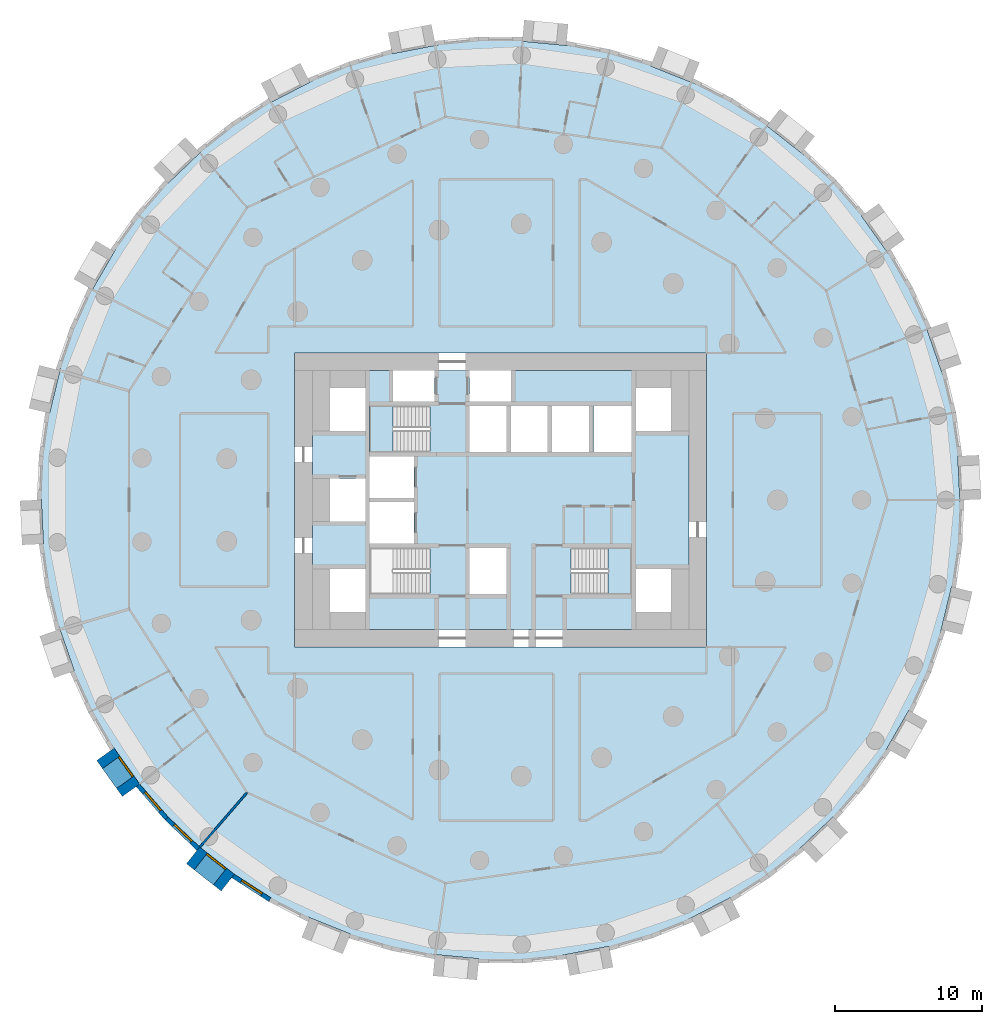
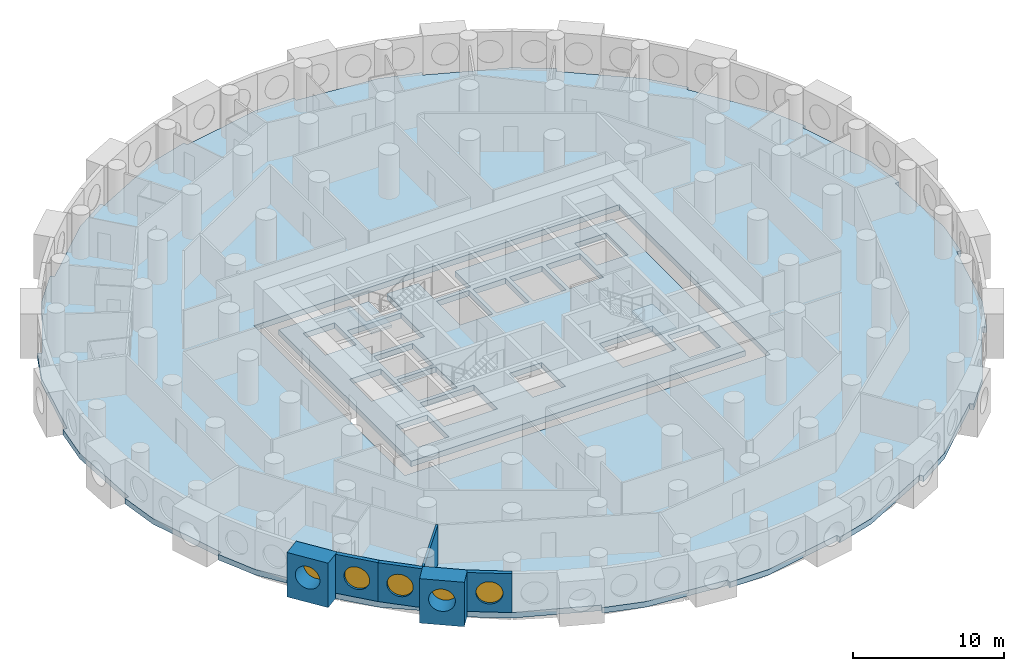
# One storey, part 2 of 12: 6 walls, 5 windows, 4 slabs, 5 openings, 2 elements without a shape of their own.
"""IFC4 building model written with IfcOpenShell, lengths in metres."""

from ifc_helpers import new_model, si_unit, direction, frame, frame_2d, origin, origin_2d, place, context, subcontext, project, spatial, polyline, rectangle, circle, outline, extrude, material, layer, layer_set, type_object, element, fill, aggregate, save


model = new_model("IFC4")

# Units and contexts
model_context = context("Model", 3, precision=1e-05, world=origin(), true_north=direction((0.0, 1.0)))
body_context = subcontext(model_context, "Body", "Model", "MODEL_VIEW")
ifc_project = project(units=[si_unit("LENGTHUNIT", "METRE"), si_unit("AREAUNIT", "SQUARE_METRE"), si_unit("VOLUMEUNIT", "CUBIC_METRE"), si_unit("PLANEANGLEUNIT", "RADIAN"), si_unit("MASSUNIT", "GRAM", prefix="KILO")], contexts=[model_context])

# Site, building, storey
site_placement = place(None, origin())
site = spatial("IfcSite", under=ifc_project, at=site_placement, CompositionType="ELEMENT")
building_placement = place(site_placement, origin())
building = spatial("IfcBuilding", under=site, at=building_placement, Name="Tracery Tower", CompositionType="ELEMENT")
storey_placement = place(building_placement, frame((0.0, 0.0, 85.800048828125)))
storey = spatial("IfcBuildingStorey", under=building, at=storey_placement, Name="L21", CompositionType="ELEMENT", Elevation=85.800048828125)

# Slabs
ifc_material_1 = material(Name="Concrete C60/75", Category="concrete")
ifc_layer_1 = layer(ifc_material_1, 0.449951171875)
ifc_layer_set_1 = layer_set([ifc_layer_1], Name="Core floor slab 450 C60")
slab_type_1 = type_object("IfcSlabType", Name="Core floor slab 450 C60", PredefinedType="FLOOR", material=ifc_layer_set_1)
slab_1_placement = place(storey_placement, frame((0.0, 0.0, -0.449951171875)))
element("IfcSlab", 1, at=slab_1_placement, inside=storey, type_object=slab_type_1, Name="L21 core floor 1", PredefinedType="FLOOR", context=body_context, shape_type="SweptSolid", body=[
    extrude(outline(polyline([(-12.800048828125, 8.800048828125), (-7.300048828125, 8.800048828125), (-7.300048828125, 6.699951171875), (-4.5, 6.699951171875), (-4.5, 8.800048828125), (-2.10009765625, 8.800048828125), (-2.10009765625, 6.699951171875), (0.699951171875, 6.699951171875), (0.699951171875, 8.800048828125), (12.800048828125, 8.800048828125), (12.800048828125, -8.800048828125), (-12.800048828125, -8.800048828125), (-12.800048828125, 8.800048828125)]), holes=[polyline([(11.60009765625, -7.60009765625), (11.60009765625, -4.699951171875), (9.199951171875, -4.699951171875), (9.199951171875, -7.60009765625), (11.60009765625, -7.60009765625)]), polyline([(11.60009765625, 4.699951171875), (11.60009765625, 7.60009765625), (9.199951171875, 7.60009765625), (9.199951171875, 4.699951171875), (11.60009765625, 4.699951171875)]), polyline([(4.800537109375, -3.25), (4.800537109375, -6.39990234375), (8.89990234375, -6.39990234375), (8.89990234375, -3.25), (4.800537109375, -3.25)]), polyline([(6.300048828125, 3.25), (8.89990234375, 3.25), (8.89990234375, 6.39990234375), (6.300048828125, 6.39990234375), (6.300048828125, 3.25)]), polyline([(3.5, 3.25), (6.0, 3.25), (6.0, 6.39990234375), (3.5, 6.39990234375), (3.5, 3.25)]), polyline([(3.199951171875, 3.25), (3.199951171875, 6.39990234375), (0.699951171875, 6.39990234375), (0.699951171875, 3.25), (3.199951171875, 3.25)]), polyline([(-2.10009765625, 3.25), (0.39990234375, 3.25), (0.39990234375, 6.39990234375), (-2.10009765625, 6.39990234375), (-2.10009765625, 3.25)]), polyline([(0.39990234375, -6.39990234375), (0.39990234375, -3.25), (-2.10009765625, -3.25), (-2.10009765625, -6.39990234375), (0.39990234375, -6.39990234375)]), polyline([(-4.800537109375, -3.25), (-8.89990234375, -3.25), (-8.89990234375, -6.39990234375), (-4.800537109375, -6.39990234375), (-4.800537109375, -3.25)]), polyline([(-4.800537109375, 6.39990234375), (-8.89990234375, 6.39990234375), (-8.89990234375, 3.25), (-4.800537109375, 3.25), (-4.800537109375, 6.39990234375)]), polyline([(-8.89990234375, -2.949951171875), (-5.89990234375, -2.949951171875), (-5.89990234375, -0.14990234375), (-8.89990234375, -0.14990234375), (-8.89990234375, -2.949951171875)]), polyline([(-5.89990234375, 0.14990234375), (-5.89990234375, 2.949951171875), (-8.89990234375, 2.949951171875), (-8.89990234375, 0.14990234375), (-5.89990234375, 0.14990234375)]), polyline([(-11.60009765625, 4.699951171875), (-9.199951171875, 4.699951171875), (-9.199951171875, 7.60009765625), (-11.60009765625, 7.60009765625), (-11.60009765625, 4.699951171875)]), polyline([(-9.199951171875, -7.60009765625), (-9.199951171875, -4.699951171875), (-11.60009765625, -4.699951171875), (-11.60009765625, -7.60009765625), (-9.199951171875, -7.60009765625)]), polyline([(-9.199951171875, -1.449951171875), (-9.199951171875, 1.449951171875), (-11.60009765625, 1.449951171875), (-11.60009765625, -1.449951171875), (-9.199951171875, -1.449951171875)])]), origin(), (0.0, 0.0, 1.0), 0.449951171875),
])
ifc_material_2 = material(Name="Concrete C50/60", Category="concrete")
ifc_layer_2 = layer(ifc_material_2, 0.449951171875)
ifc_layer_set_2 = layer_set([ifc_layer_2], Name="Floor slab 450")
slab_type_2 = type_object("IfcSlabType", Name="Floor slab 450", PredefinedType="FLOOR", material=ifc_layer_set_2)
slab_2_placement = place(storey_placement, frame((0.0, 0.0, -0.449951171875)))
element("IfcSlab", 2, at=slab_2_placement, inside=storey, type_object=slab_type_2, Name="Floor slab L21", PredefinedType="FLOOR", context=body_context, shape_type="SweptSolid", body=[
    extrude(outline(polyline([(29.964111328125, 8.783447265625), (29.964111328125, 8.783447265625), (28.98291015625, 11.618408203125), (29.266357421875, 11.716552734375), (28.020263671875, 14.4453125), (26.27587890625, 16.869384765625), (26.27587890625, 16.869384765625), (26.27001953125, 16.877685546875), (26.267578125, 16.881103515625), (24.81201171875, 18.9248046875), (24.53564453125, 19.313232421875), (24.780029296875, 19.4873046875), (22.8154296875, 21.75439453125), (20.458740234375, 23.5888671875), (20.458740234375, 23.5888671875), (20.4541015625, 23.592529296875), (20.447509765625, 23.59765625), (18.11181640625, 25.4345703125), (18.11181640625, 25.4345703125), (18.1005859375, 25.443359375), (18.2861328125, 25.67919921875), (15.76220703125, 27.301025390625), (12.984375, 28.397216796875), (12.984375, 28.397216796875), (10.19921875, 29.51220703125), (10.310791015625, 29.790771484375), (7.43212890625, 30.635986328125), (4.4580078125, 30.905029296875), (4.4580078125, 30.905029296875), (4.45166015625, 30.90576171875), (4.443603515625, 30.906494140625), (1.859375, 31.1533203125), (1.471435546875, 31.190185546875), (1.5, 31.489013671875), (1.5, 31.489013671875), (-1.5, 31.489013671875), (-4.4296875, 30.9091796875), (-4.4296875, 30.9091796875), (-4.4365234375, 30.90771484375), (-4.443603515625, 30.906494140625), (-7.114501953125, 30.3916015625), (-7.37548828125, 30.34130859375), (-7.43212890625, 30.635986328125), (-10.310791015625, 29.790771484375), (-12.95849609375, 28.4091796875), (-12.958251953125, 28.4091796875), (-13.0693359375, 28.351806640625), (-15.612060546875, 27.041015625), (-15.612060546875, 27.041015625), (-15.624755859375, 27.034423828125), (-15.76220703125, 27.301025390625), (-15.76220703125, 27.301025390625), (-18.2861328125, 25.67919921875), (-20.437255859375, 23.607666015625), (-20.437255859375, 23.607666015625), (-20.441162109375, 23.603759765625), (-20.447509765625, 23.59765625), (-21.854736328125, 22.256103515625), (-22.6083984375, 21.537353515625), (-22.8154296875, 21.75439453125), (-24.780029296875, 19.4873046875), (-26.260498046875, 16.8935546875), (-26.260498046875, 16.8935546875), (-26.265380859375, 16.884765625), (-26.267578125, 16.881103515625), (-27.753173828125, 14.307861328125), (-27.753173828125, 14.307861328125), (-27.760498046875, 14.29541015625), (-28.02001953125, 14.4453125), (-28.020263671875, 14.4453125), (-29.266357421875, 11.716552734375), (-29.956298828125, 8.810791015625), (-29.9560546875, 8.810791015625), (-30.6015625, 6.150390625), (-30.659912109375, 5.9091796875), (-30.659912109375, 5.9091796875), (-30.663330078125, 5.895263671875), (-30.954833984375, 5.966064453125), (-31.3818359375, 2.99658203125), (-31.22509765625, 0.014404296875), (-31.224853515625, 0.014404296875), (-31.082275390625, -2.982421875), (-31.3818359375, -2.99658203125), (-30.954833984375, -5.966064453125), (-29.964111328125, -8.783447265625), (-29.964111328125, -8.783447265625), (-28.98291015625, -11.618408203125), (-29.266357421875, -11.716552734375), (-28.020263671875, -14.4453125), (-26.27587890625, -16.869384765625), (-26.27587890625, -16.869384765625), (-26.27001953125, -16.877685546875), (-26.267578125, -16.881103515625), (-24.81201171875, -18.9248046875), (-24.53564453125, -19.313232421875), (-24.780029296875, -19.4873046875), (-22.8154296875, -21.75439453125), (-20.458740234375, -23.5888671875), (-20.458740234375, -23.5888671875), (-20.4541015625, -23.592529296875), (-20.447509765625, -23.59765625), (-18.11181640625, -25.4345703125), (-18.11181640625, -25.4345703125), (-18.1005859375, -25.443359375), (-18.2861328125, -25.67919921875), (-15.76220703125, -27.301025390625), (-12.984375, -28.397216796875), (-12.984375, -28.397216796875), (-10.19921875, -29.51220703125), (-10.310791015625, -29.790771484375), (-7.43212890625, -30.635986328125), (-4.4580078125, -30.905029296875), (-4.4580078125, -30.905029296875), (-4.45166015625, -30.90576171875), (-4.443603515625, -30.906494140625), (-1.859375, -31.1533203125), (-1.471435546875, -31.190185546875), (-1.5, -31.489013671875), (-1.5, -31.489013671875), (1.5, -31.489013671875), (4.4296875, -30.9091796875), (4.4296875, -30.9091796875), (4.4365234375, -30.90771484375), (4.443603515625, -30.906494140625), (7.114501953125, -30.3916015625), (7.37548828125, -30.34130859375), (7.43212890625, -30.635986328125), (10.310791015625, -29.790771484375), (12.95849609375, -28.4091796875), (12.958251953125, -28.4091796875), (13.0693359375, -28.351806640625), (15.612060546875, -27.041015625), (15.612060546875, -27.041015625), (15.624755859375, -27.034423828125), (15.76220703125, -27.301025390625), (15.76220703125, -27.301025390625), (18.2861328125, -25.67919921875), (20.437255859375, -23.607666015625), (20.437255859375, -23.607666015625), (20.441162109375, -23.603759765625), (20.447509765625, -23.59765625), (21.854736328125, -22.256103515625), (22.6083984375, -21.537353515625), (22.8154296875, -21.75439453125), (24.780029296875, -19.4873046875), (26.260498046875, -16.8935546875), (26.260498046875, -16.8935546875), (26.265380859375, -16.884765625), (26.267578125, -16.881103515625), (27.753173828125, -14.307861328125), (27.753173828125, -14.307861328125), (27.760498046875, -14.29541015625), (28.02001953125, -14.4453125), (28.020263671875, -14.4453125), (29.266357421875, -11.716552734375), (29.956298828125, -8.810791015625), (29.9560546875, -8.810791015625), (30.6015625, -6.150390625), (30.659912109375, -5.9091796875), (30.659912109375, -5.9091796875), (30.663330078125, -5.895263671875), (30.954833984375, -5.966064453125), (31.3818359375, -2.99658203125), (31.22509765625, -0.014404296875), (31.224853515625, -0.014404296875), (31.082275390625, 2.982421875), (31.3818359375, 2.99658203125), (30.954833984375, 5.966064453125), (29.964111328125, 8.783447265625)]), holes=[polyline([(-14.0, -10.0), (14.0, -10.0), (14.0, 10.0), (-14.0, 10.0), (-14.0, -10.0)])]), origin(), (0.0, 0.0, 1.0), 0.449951171875),
])

# Stair, slab
ifc_material_3 = material(Name="Concrete C32/40", Category="concrete")
stair_type = type_object("IfcStairType", Name="Core stair 22 risers", PredefinedType="HALF_TURN_STAIR", material=ifc_material_3)
stair_1_placement = place(storey_placement, origin())
stair_1 = element("IfcStair", 3, at=stair_1_placement, inside=storey, type_object=stair_type, Name="L21 stair ST3", PredefinedType="HALF_TURN_STAIR")
ifc_material_4 = material(Name="Concrete C32/40", Category="concrete")
ifc_layer_3 = layer(ifc_material_4, 0.199951171875)
ifc_layer_set_3 = layer_set([ifc_layer_3], Name="Stair landing slab 200")
slab_type_3 = type_object("IfcSlabType", Name="Stair landing slab 200", PredefinedType="LANDING", material=ifc_layer_set_3)
slab_3_placement = place(storey_placement, frame((0.0, 0.0, 1.599853515625)))
slab_3 = element("IfcSlab", 4, at=slab_3_placement, type_object=slab_type_3, Name="ST3 landing 1", PredefinedType="LANDING", context=body_context, shape_type="SweptSolid", body=[
    extrude(outline(polyline([(-7.29931640625, 6.39990234375), (-8.89990234375, 6.39990234375), (-8.89990234375, 3.25), (-7.29931640625, 3.25), (-7.29931640625, 6.39990234375)])), origin(), (0.0, 0.0, 1.0), 0.2001953125),
])
aggregate(stair_1, [slab_3])

stair_2_placement = place(storey_placement, origin())
stair_2 = element("IfcStair", 5, at=stair_2_placement, inside=storey, type_object=stair_type, Name="L21 stair ST2", PredefinedType="HALF_TURN_STAIR")
slab_4_placement = place(storey_placement, frame((0.0, 0.0, 1.599853515625)))
slab_4 = element("IfcSlab", 6, at=slab_4_placement, type_object=slab_type_3, Name="ST2 landing 1", PredefinedType="LANDING", context=body_context, shape_type="SweptSolid", body=[
    extrude(outline(polyline([(7.29931640625, -6.39990234375), (8.89990234375, -6.39990234375), (8.89990234375, -3.25), (7.29931640625, -3.25), (7.29931640625, -6.39990234375)])), origin(), (0.0, 0.0, 1.0), 0.2001953125),
])
aggregate(stair_2, [slab_4])

# Wall, opening, window
ifc_material_5 = material(Name="Precast concrete C50/60", Category="concrete")
ifc_layer_4 = layer(ifc_material_5, 1.449951171875)
ifc_layer_set_4 = layer_set([ifc_layer_4], Name="Deep-set bay unit 3000 x 3600, slab edge 450")
wall_type_1 = type_object("IfcWallType", Name="Deep-set bay unit 3000 x 3600, slab edge 450", PredefinedType="ELEMENTEDWALL", material=ifc_layer_set_4)
wall_1_placement = place(storey_placement, frame((-26.866455078125, -17.2900390625, -0.449951171875), z_axis=(0.0, 0.0, 1.0), x_axis=(0.580090570606, -0.814551981088, 0.0)))
wall_1 = element("IfcWall", 7, at=wall_1_placement, inside=storey, type_object=wall_type_1, Name="Deep-set bay unit 40 at L21", PredefinedType="ELEMENTEDWALL", context=body_context, shape_type="SweptSolid", body=[
    extrude(rectangle(XDim=3.0, YDim=1.449951171875, at=frame_2d((1.5, 0.0))), origin(), (0.0, 0.0, 1.0), 3.599853515625),
])
opening_1_placement = place(wall_1_placement, frame((1.5, 0.0, 2.0)))
opening_1 = element("IfcOpeningElement", 8, at=opening_1_placement, cuts=wall_1, Name="Opening WN1", PredefinedType="OPENING", context=body_context, shape_type="SweptSolid", body=[
    extrude(circle(Radius=0.9000244140625, at=origin_2d()), frame((0.0, 0.73486328125, 0.0), z_axis=(0.0, -1.0, 0.0), x_axis=(1.0, 0.0, 0.0)), (0.0, 0.0, 1.0), 1.469970703125),
])
ifc_material_6 = material(Name="Aluminium frame with tinted double glazing", Category="aluminium")
window_type = type_object("IfcWindowType", Name="Round window 1800", PartitioningType="SINGLE_PANEL", PredefinedType="WINDOW", material=ifc_material_6)
window_1_placement = place(opening_1_placement, origin())
window_1 = element("IfcWindow", 9, at=window_1_placement, inside=storey, type_object=window_type, Name="Round window 40 at L21", OverallHeight=1.800048828125, OverallWidth=1.800048828125, PartitioningType="SINGLE_PANEL", PredefinedType="WINDOW", context=body_context, shape_type="SweptSolid", body=[
    extrude(circle(Radius=0.9000244140625, at=origin_2d()), frame((0.0, 0.69482421875, 0.0), z_axis=(0.0, -1.0, 0.0), x_axis=(1.0, 0.0, 0.0)), (0.0, 0.0, 1.0), 0.10009765625),
])
fill(opening_1, window_1)

wall_2_placement = place(storey_placement, frame((-20.906982421875, -24.15869140625, -0.449951171875), z_axis=(0.0, 0.0, 1.0), x_axis=(0.786049992888, -0.618162930529, 0.0)))
wall_2 = element("IfcWall", 10, at=wall_2_placement, inside=storey, type_object=wall_type_1, Name="Deep-set bay unit 43 at L21", PredefinedType="ELEMENTEDWALL", context=body_context, shape_type="SweptSolid", body=[
    extrude(rectangle(XDim=3.0, YDim=1.449951171875, at=frame_2d((1.5, 0.0))), origin(), (0.0, 0.0, 1.0), 3.599853515625),
])
opening_2_placement = place(wall_2_placement, frame((1.5, 0.0, 2.0)))
opening_2 = element("IfcOpeningElement", 11, at=opening_2_placement, cuts=wall_2, Name="Opening WN1", PredefinedType="OPENING", context=body_context, shape_type="SweptSolid", body=[
    extrude(circle(Radius=0.9000244140625, at=origin_2d()), frame((0.0, 0.73486328125, 0.0), z_axis=(0.0, -1.0, 0.0), x_axis=(1.0, 0.0, 0.0)), (0.0, 0.0, 1.0), 1.469970703125),
])
window_2_placement = place(opening_2_placement, origin())
window_2 = element("IfcWindow", 12, at=window_2_placement, inside=storey, type_object=window_type, Name="Round window 43 at L21", OverallHeight=1.800048828125, OverallWidth=1.800048828125, PartitioningType="SINGLE_PANEL", PredefinedType="WINDOW", context=body_context, shape_type="SweptSolid", body=[
    extrude(circle(Radius=0.9000244140625, at=origin_2d()), frame((0.0, 0.69482421875, 0.0), z_axis=(0.0, -1.0, 0.0), x_axis=(1.0, 0.0, 0.0)), (0.0, 0.0, 1.0), 0.10009765625),
])
fill(opening_2, window_2)

ifc_material_7 = material(Name="Precast concrete C50/60", Category="concrete")
ifc_layer_5 = layer(ifc_material_7, 0.300048828125)
ifc_layer_set_5 = layer_set([ifc_layer_5], Name="Facade panel 3000 x 3150")
wall_type_2 = type_object("IfcWallType", Name="Facade panel 3000 x 3150", PredefinedType="SOLIDWALL", material=ifc_layer_set_5)
wall_3_placement = place(storey_placement, frame((-24.657958984375, -19.39892578125, 0.0), z_axis=(0.0, 0.0, 1.0), x_axis=(0.654830712471, -0.755775587066, 0.0)))
wall_3 = element("IfcWall", 13, at=wall_3_placement, inside=storey, type_object=wall_type_2, Name="Facade panel 41 at L21", PredefinedType="SOLIDWALL", context=body_context, shape_type="SweptSolid", body=[
    extrude(rectangle(XDim=2.979736328125, YDim=0.300048828125, at=frame_2d((1.48974609375, 0.0))), origin(), (0.0, 0.0, 1.0), 3.14990234375),
])
opening_3_placement = place(wall_3_placement, frame((1.48974609375, 0.0, 1.5498046875)))
opening_3 = element("IfcOpeningElement", 14, at=opening_3_placement, cuts=wall_3, Name="Opening WN1", PredefinedType="OPENING", context=body_context, shape_type="SweptSolid", body=[
    extrude(circle(Radius=0.9000244140625, at=origin_2d()), frame((0.0, 0.159912109375, 0.0), z_axis=(0.0, -1.0, 0.0), x_axis=(1.0, 0.0, 0.0)), (0.0, 0.0, 1.0), 0.320068359375),
])
window_3_placement = place(opening_3_placement, origin())
window_3 = element("IfcWindow", 15, at=window_3_placement, inside=storey, type_object=window_type, Name="Round window 41 at L21", OverallHeight=1.800048828125, OverallWidth=1.800048828125, PartitioningType="SINGLE_PANEL", PredefinedType="WINDOW", context=body_context, shape_type="SweptSolid", body=[
    extrude(circle(Radius=0.9000244140625, at=origin_2d()), frame((0.0, 0.1201171875, 0.0), z_axis=(0.0, -1.0, 0.0), x_axis=(1.0, 0.0, 0.0)), (0.0, 0.0, 1.0), 0.10009765625),
])
fill(opening_3, window_3)

wall_4_placement = place(storey_placement, frame((-22.706787109375, -21.65087890625, 0.0), z_axis=(0.0, 0.0, 1.0), x_axis=(0.723744206617, -0.690068346896, 0.0)))
wall_4 = element("IfcWall", 16, at=wall_4_placement, inside=storey, type_object=wall_type_2, Name="Facade panel 42 at L21", PredefinedType="SOLIDWALL", context=body_context, shape_type="SweptSolid", body=[
    extrude(rectangle(XDim=2.979736328125, YDim=0.300048828125, at=frame_2d((1.48974609375, 0.0))), origin(), (0.0, 0.0, 1.0), 3.14990234375),
])
opening_4_placement = place(wall_4_placement, frame((1.48974609375, 0.0, 1.5498046875)))
opening_4 = element("IfcOpeningElement", 17, at=opening_4_placement, cuts=wall_4, Name="Opening WN1", PredefinedType="OPENING", context=body_context, shape_type="SweptSolid", body=[
    extrude(circle(Radius=0.9000244140625, at=origin_2d()), frame((0.0, 0.159912109375, 0.0), z_axis=(0.0, -1.0, 0.0), x_axis=(1.0, 0.0, 0.0)), (0.0, 0.0, 1.0), 0.320068359375),
])
window_4_placement = place(opening_4_placement, origin())
window_4 = element("IfcWindow", 18, at=window_4_placement, inside=storey, type_object=window_type, Name="Round window 42 at L21", OverallHeight=1.800048828125, OverallWidth=1.800048828125, PartitioningType="SINGLE_PANEL", PredefinedType="WINDOW", context=body_context, shape_type="SweptSolid", body=[
    extrude(circle(Radius=0.9000244140625, at=origin_2d()), frame((0.0, 0.1201171875, 0.0), z_axis=(0.0, -1.0, 0.0), x_axis=(1.0, 0.0, 0.0)), (0.0, 0.0, 1.0), 0.10009765625),
])
fill(opening_4, window_4)

wall_5_placement = place(storey_placement, frame((-18.19384765625, -25.56005859375, 0.0), z_axis=(0.0, 0.0, 1.0), x_axis=(0.84122372879, -0.540687190639, 0.0)))
wall_5 = element("IfcWall", 19, at=wall_5_placement, inside=storey, type_object=wall_type_2, Name="Facade panel 44 at L21", PredefinedType="SOLIDWALL", context=body_context, shape_type="SweptSolid", body=[
    extrude(rectangle(XDim=2.979736328125, YDim=0.300048828125, at=frame_2d((1.48974609375, 0.0))), origin(), (0.0, 0.0, 1.0), 3.14990234375),
])
opening_5_placement = place(wall_5_placement, frame((1.48974609375, 0.0, 1.5498046875)))
opening_5 = element("IfcOpeningElement", 20, at=opening_5_placement, cuts=wall_5, Name="Opening WN1", PredefinedType="OPENING", context=body_context, shape_type="SweptSolid", body=[
    extrude(circle(Radius=0.9000244140625, at=origin_2d()), frame((0.0, 0.159912109375, 0.0), z_axis=(0.0, -1.0, 0.0), x_axis=(1.0, 0.0, 0.0)), (0.0, 0.0, 1.0), 0.320068359375),
])
window_5_placement = place(opening_5_placement, origin())
window_5 = element("IfcWindow", 21, at=window_5_placement, inside=storey, type_object=window_type, Name="Round window 44 at L21", OverallHeight=1.800048828125, OverallWidth=1.800048828125, PartitioningType="SINGLE_PANEL", PredefinedType="WINDOW", context=body_context, shape_type="SweptSolid", body=[
    extrude(circle(Radius=0.9000244140625, at=origin_2d()), frame((0.0, 0.1201171875, 0.0), z_axis=(0.0, -1.0, 0.0), x_axis=(1.0, 0.0, 0.0)), (0.0, 0.0, 1.0), 0.10009765625),
])
fill(opening_5, window_5)

# Wall
ifc_material_8 = material(Name="Plasterboard on steel studs", Category="steel")
ifc_layer_6 = layer(ifc_material_8, 0.14990234375)
ifc_layer_set_6 = layer_set([ifc_layer_6], Name="Partition 150 acoustic unit wall")
wall_type_3 = type_object("IfcWallType", Name="Partition 150 acoustic unit wall", PredefinedType="PARTITIONING", material=ifc_layer_set_6)
wall_6_placement = place(storey_placement, frame((-20.447998046875, -23.597900390625, 0.0), z_axis=(0.0, 0.0, 1.0), x_axis=(0.654847179409, 0.755761319214, 0.0)))
element("IfcWall", 22, at=wall_6_placement, inside=storey, type_object=wall_type_3, Name="Unit wall RA6-097", PredefinedType="PARTITIONING", context=body_context, shape_type="SweptSolid", body=[
    extrude(rectangle(XDim=4.90625, YDim=0.14990234375, at=frame_2d((2.453125, 0.0))), origin(), (0.0, 0.0, 1.0), 3.14990234375),
])

save(model, "model.ifc")
